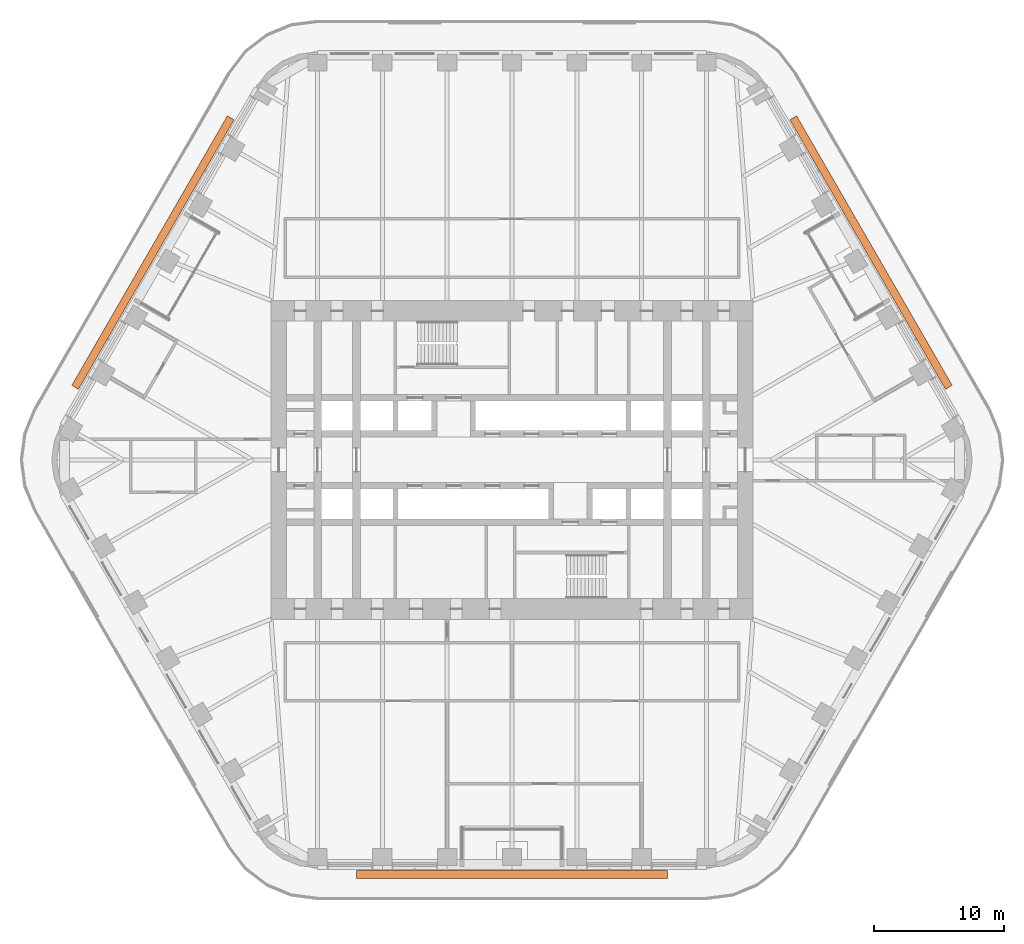
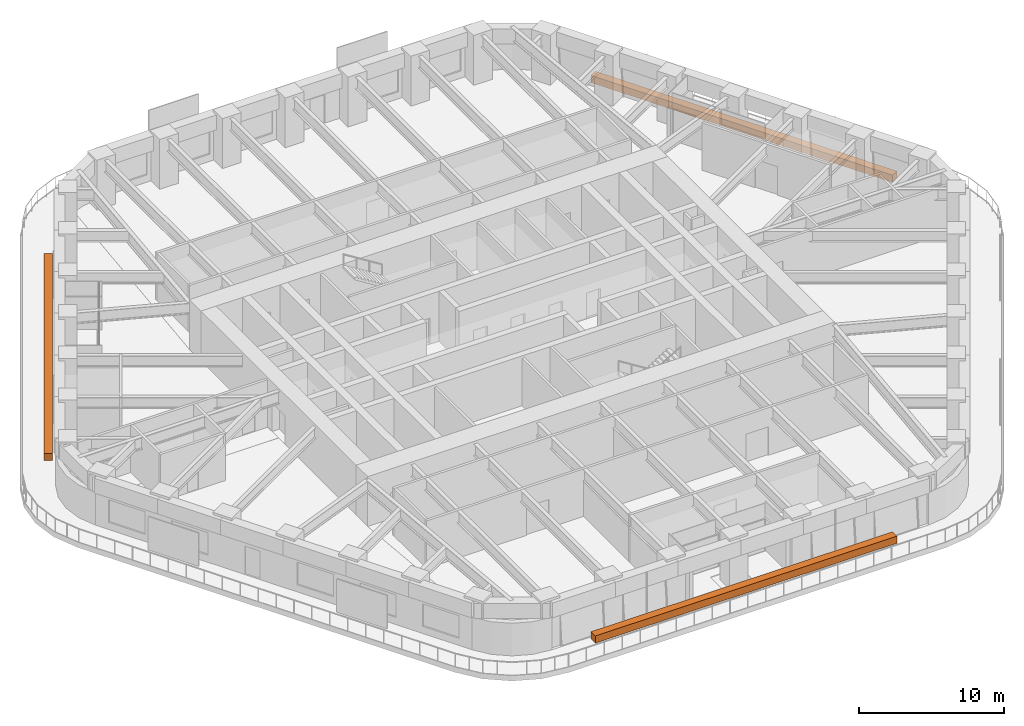
# One storey, part 24 of 24: 3 proxies.
"""IFC4 building model written with IfcOpenShell, lengths in metres."""

from ifc_helpers import new_model, si_unit, direction, frame, origin, origin_2d, place, context, subcontext, project, spatial, rectangle, extrude, material, element, save


model = new_model("IFC4")

# Units and contexts
model_context = context("Model", 3, precision=1e-05, world=origin(), true_north=direction((0.0, 1.0)))
body_context = subcontext(model_context, "Body", "Model", "MODEL_VIEW")
ifc_project = project(units=[si_unit("LENGTHUNIT", "METRE"), si_unit("AREAUNIT", "SQUARE_METRE"), si_unit("VOLUMEUNIT", "CUBIC_METRE"), si_unit("PLANEANGLEUNIT", "RADIAN"), si_unit("MASSUNIT", "GRAM", prefix="KILO")], contexts=[model_context])

# Site, building, storey
site_placement = place(None, origin())
site = spatial("IfcSite", under=ifc_project, at=site_placement, CompositionType="ELEMENT")
building_placement = place(site_placement, origin())
building = spatial("IfcBuilding", under=site, at=building_placement, Name="Tarfa Lantern Tower", CompositionType="ELEMENT")
storey_placement = place(building_placement, frame((0.0, 0.0, 182.5)))
storey = spatial("IfcBuildingStorey", under=building, at=storey_placement, Name="L41", CompositionType="ELEMENT", Elevation=182.5)

# Proxies
ifc_material = material(Name="Planting bed")
for number, where, z_axis, x_axis, name in (
    (1, (27.712890625, 16.0, 0.0), (0.0, 0.0, 1.0), (-0.5, 0.866025403784, 0.0), "Balcony planter"),
    (2, (-27.712890625, 16.0, 0.0), (0.0, 0.0, 1.0), (-0.5, -0.866025403784, 0.0), "Balcony planter"),
    (3, (0.0, -32.0, 0.0), (0.0, 0.0, 1.0), (1.0, 0.0, 0.0), "Balcony planter"),
):
    element("IfcBuildingElementProxy", number, at=place(storey_placement, frame(where, z_axis=z_axis, x_axis=x_axis)), inside=storey, material=ifc_material, Name=name, ObjectType="PLANTER", PredefinedType="USERDEFINED", context=body_context, shape_type="SweptSolid", body=[
        extrude(rectangle(XDim=24.017822265625, YDim=0.60009765625, at=origin_2d()), origin(), (0.0, 0.0, 1.0), 0.60009765625),
    ])

save(model, "model.ifc")
